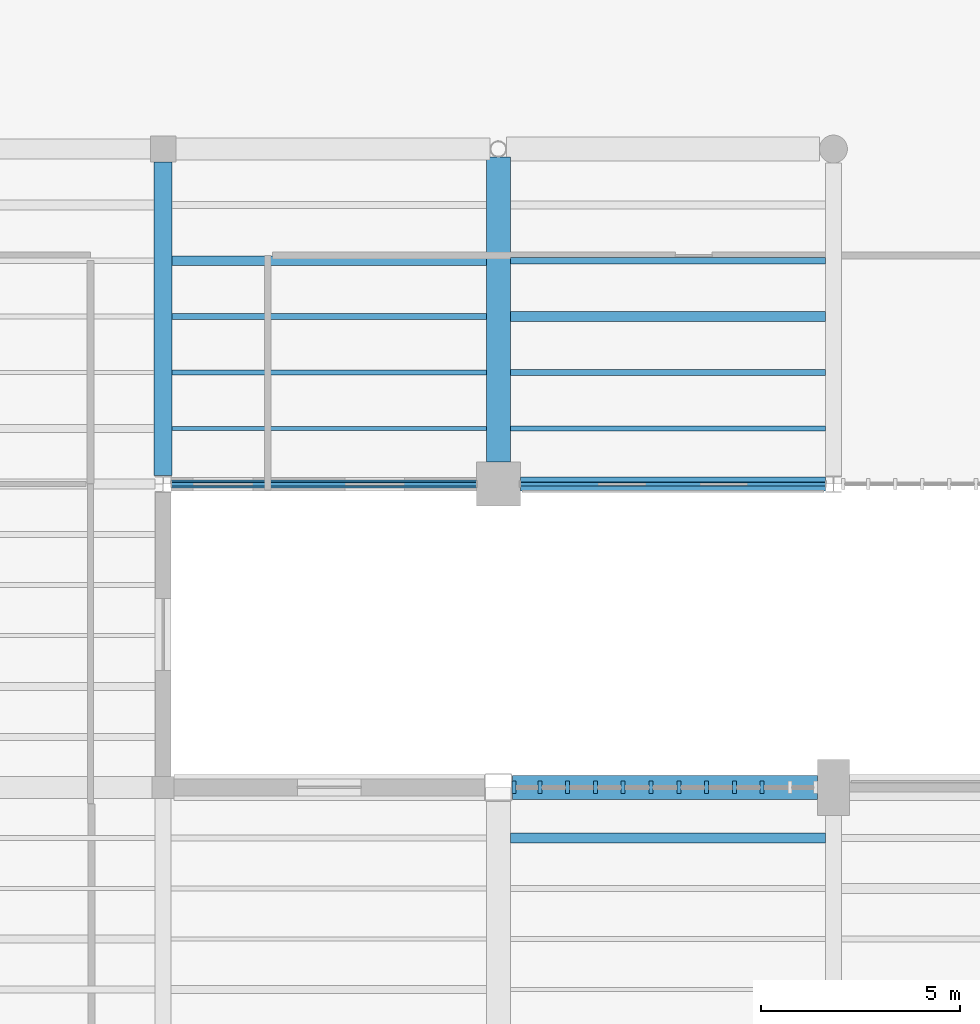
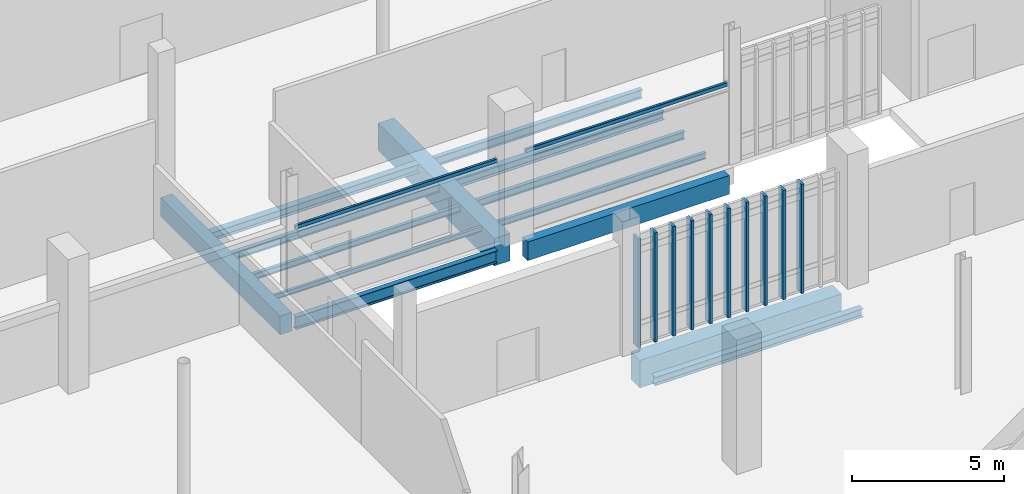
# One storey, part 15 of 111: 16 beams, 10 members, 1 element without a shape of its own.
"""IFC4 building model written with IfcOpenShell, lengths in metres."""

from ifc_helpers import new_model, si_unit, direction, frame, origin, origin_2d, place, context, subcontext, project, spatial, rectangle, hollow_rectangle, i_section, extrude, material, material_profile, profile_set, type_object, element, aggregate, save


model = new_model("IFC4")

# Units and contexts
model_context = context("Model", 3, precision=1e-05, world=origin(), true_north=direction((0.0, 1.0)))
body_context = subcontext(model_context, "Body", "Model", "MODEL_VIEW")
ifc_project = project(units=[si_unit("LENGTHUNIT", "METRE"), si_unit("AREAUNIT", "SQUARE_METRE"), si_unit("VOLUMEUNIT", "CUBIC_METRE"), si_unit("PLANEANGLEUNIT", "RADIAN"), si_unit("MASSUNIT", "GRAM", prefix="KILO")], contexts=[model_context])

# Site, building, storey
site_placement = place(None, origin())
site = spatial("IfcSite", under=ifc_project, at=site_placement, CompositionType="ELEMENT")
building_placement = place(site_placement, origin())
building = spatial("IfcBuilding", under=site, at=building_placement, Name="Larkvane Passage Sports Hall", CompositionType="ELEMENT")
storey_placement = place(building_placement, origin())
storey = spatial("IfcBuildingStorey", under=building, at=storey_placement, Name="L00", CompositionType="ELEMENT", Elevation=0.0)

# Beams
ifc_material_1 = material(Name="Concrete C40/50", Category="concrete")
ifc_material_profile_1 = material_profile(ifc_material_1, rectangle(XDim=0.449951171875, YDim=0.75, at=origin_2d()), Name="RC-BM-450x750")
ifc_profile_set_1 = profile_set([ifc_material_profile_1], Name="Concrete C40/50")
beam_type_1 = type_object("IfcBeamType", Name="BM-RC-450x750", PredefinedType="BEAM", material=ifc_profile_set_1)
beam_1_placement = place(storey_placement, frame((60.0, 23.013916015625, -0.794921875), z_axis=(0.0, 1.0, 0.0), x_axis=(-1.0, 0.0, 0.0)))
element("IfcBeam", 1, at=beam_1_placement, inside=storey, type_object=beam_type_1, Name="Girder BM5-Y-L00-9-0096", PredefinedType="BEAM", context=body_context, shape_type="SweptSolid", body=[
    extrude(rectangle(XDim=0.449951171875, YDim=0.75, at=origin_2d()), origin(), (0.0, 0.0, 1.0), 7.861083984375),
])
ifc_material_2 = material(Name="Concrete C50/60", Category="concrete")
ifc_material_profile_2 = material_profile(ifc_material_2, rectangle(XDim=0.60009765625, YDim=1.10009765625, at=origin_2d()), Name="RC-BM-600x1100")
ifc_profile_set_2 = profile_set([ifc_material_profile_2], Name="Concrete C50/60")
beam_type_2 = type_object("IfcBeamType", Name="BM-RC-600x1100", PredefinedType="BEAM", material=ifc_profile_set_2)
beam_2_placement = place(storey_placement, frame((68.75, 15.199951171875, -0.969970703125), z_axis=(1.0, 0.0, 0.0), x_axis=(0.0, 1.0, 0.0)))
element("IfcBeam", 2, at=beam_2_placement, inside=storey, type_object=beam_type_2, Name="Girder BM5-X-L00-C-0011", PredefinedType="BEAM", context=body_context, shape_type="SweptSolid", body=[
    extrude(rectangle(XDim=0.60009765625, YDim=1.10009765625, at=origin_2d()), origin(), (0.0, 0.0, 1.0), 7.64990234375),
])
beam_3_placement = place(storey_placement, frame((68.39990234375, 23.35009765625, -0.969970703125), z_axis=(0.0, 1.0, 0.0), x_axis=(-1.0, 0.0, 0.0)))
element("IfcBeam", 3, at=beam_3_placement, inside=storey, type_object=beam_type_2, Name="Girder BM5-Y-L00-10-0102", PredefinedType="BEAM", context=body_context, shape_type="SweptSolid", body=[
    extrude(rectangle(XDim=0.60009765625, YDim=1.10009765625, at=origin_2d()), origin(), (0.0, 0.0, 1.0), 7.646728515625),
])

# Curtain wall, members
ifc_material_3 = material(Name="Thermally broken aluminium and low-E glazing", Category="aluminium")
curtain_wall_type = type_object("IfcCurtainWallType", Name="CW-CLINIC", PredefinedType="USERDEFINED", material=ifc_material_3)
curtain_wall_placement = place(storey_placement, origin())
curtain_wall = element("IfcCurtainWall", 4, at=curtain_wall_placement, inside=storey, type_object=curtain_wall_type, Name="Curtain wall CW5-L00-027", ObjectType="UNITISED CURTAIN WALL", PredefinedType="USERDEFINED")
ifc_material_4 = material(Name="Anodised aluminium 6063-T6", Category="aluminium")
ifc_material_profile_3 = material_profile(ifc_material_4, rectangle(XDim=0.10009765625, YDim=0.320068359375, at=origin_2d()), Name="ALU-MUL-100x320")
ifc_profile_set_3 = profile_set([ifc_material_profile_3], Name="Anodised aluminium 6063-T6")
member_type = type_object("IfcMemberType", Name="CW-MUL-100x320", PredefinedType="MULLION", material=ifc_profile_set_3)
member_1_placement = place(storey_placement, frame((68.7958984375, 15.199951171875, 0.0), z_axis=(0.0, 0.0, 1.0), x_axis=(1.0, 0.0, 0.0)))
member_1 = element("IfcMember", 5, at=member_1_placement, type_object=member_type, Name="CW-05 mullion 1", PredefinedType="MULLION", context=body_context, shape_type="SweptSolid", body=[
    extrude(rectangle(XDim=0.10009765625, YDim=0.320068359375, at=origin_2d()), origin(), (0.0, 0.0, 1.0), 4.385986328125),
])
member_2_placement = place(storey_placement, frame((69.442138671875, 15.199951171875, 0.0), z_axis=(0.0, 0.0, 1.0), x_axis=(1.0, 0.0, 0.0)))
member_2 = element("IfcMember", 6, at=member_2_placement, type_object=member_type, Name="CW-05 mullion 2", PredefinedType="MULLION", context=body_context, shape_type="SweptSolid", body=[
    extrude(rectangle(XDim=0.10009765625, YDim=0.320068359375, at=origin_2d()), origin(), (0.0, 0.0, 1.0), 4.385986328125),
])
member_3_placement = place(storey_placement, frame((70.138427734375, 15.199951171875, 0.0), z_axis=(0.0, 0.0, 1.0), x_axis=(1.0, 0.0, 0.0)))
member_3 = element("IfcMember", 7, at=member_3_placement, type_object=member_type, Name="CW-05 mullion 3", PredefinedType="MULLION", context=body_context, shape_type="SweptSolid", body=[
    extrude(rectangle(XDim=0.10009765625, YDim=0.320068359375, at=origin_2d()), origin(), (0.0, 0.0, 1.0), 4.385986328125),
])
member_4_placement = place(storey_placement, frame((70.83447265625, 15.199951171875, 0.0), z_axis=(0.0, 0.0, 1.0), x_axis=(1.0, 0.0, 0.0)))
member_4 = element("IfcMember", 8, at=member_4_placement, type_object=member_type, Name="CW-05 mullion 4", PredefinedType="MULLION", context=body_context, shape_type="SweptSolid", body=[
    extrude(rectangle(XDim=0.10009765625, YDim=0.320068359375, at=origin_2d()), origin(), (0.0, 0.0, 1.0), 4.385986328125),
])
member_5_placement = place(storey_placement, frame((71.53076171875, 15.199951171875, 0.0), z_axis=(0.0, 0.0, 1.0), x_axis=(1.0, 0.0, 0.0)))
member_5 = element("IfcMember", 9, at=member_5_placement, type_object=member_type, Name="CW-05 mullion 5", PredefinedType="MULLION", context=body_context, shape_type="SweptSolid", body=[
    extrude(rectangle(XDim=0.10009765625, YDim=0.320068359375, at=origin_2d()), origin(), (0.0, 0.0, 1.0), 4.385986328125),
])
member_6_placement = place(storey_placement, frame((72.226806640625, 15.199951171875, 0.0), z_axis=(0.0, 0.0, 1.0), x_axis=(1.0, 0.0, 0.0)))
member_6 = element("IfcMember", 10, at=member_6_placement, type_object=member_type, Name="CW-05 mullion 6", PredefinedType="MULLION", context=body_context, shape_type="SweptSolid", body=[
    extrude(rectangle(XDim=0.10009765625, YDim=0.320068359375, at=origin_2d()), origin(), (0.0, 0.0, 1.0), 4.385986328125),
])
member_7_placement = place(storey_placement, frame((72.923095703125, 15.199951171875, 0.0), z_axis=(0.0, 0.0, 1.0), x_axis=(1.0, 0.0, 0.0)))
member_7 = element("IfcMember", 11, at=member_7_placement, type_object=member_type, Name="CW-05 mullion 7", PredefinedType="MULLION", context=body_context, shape_type="SweptSolid", body=[
    extrude(rectangle(XDim=0.10009765625, YDim=0.320068359375, at=origin_2d()), origin(), (0.0, 0.0, 1.0), 4.385986328125),
])
member_8_placement = place(storey_placement, frame((73.619384765625, 15.199951171875, 0.0), z_axis=(0.0, 0.0, 1.0), x_axis=(1.0, 0.0, 0.0)))
member_8 = element("IfcMember", 12, at=member_8_placement, type_object=member_type, Name="CW-05 mullion 8", PredefinedType="MULLION", context=body_context, shape_type="SweptSolid", body=[
    extrude(rectangle(XDim=0.10009765625, YDim=0.320068359375, at=origin_2d()), origin(), (0.0, 0.0, 1.0), 4.385986328125),
])
member_9_placement = place(storey_placement, frame((74.3154296875, 15.199951171875, 0.0), z_axis=(0.0, 0.0, 1.0), x_axis=(1.0, 0.0, 0.0)))
member_9 = element("IfcMember", 13, at=member_9_placement, type_object=member_type, Name="CW-05 mullion 9", PredefinedType="MULLION", context=body_context, shape_type="SweptSolid", body=[
    extrude(rectangle(XDim=0.10009765625, YDim=0.320068359375, at=origin_2d()), origin(), (0.0, 0.0, 1.0), 4.385986328125),
])
member_10_placement = place(storey_placement, frame((75.01171875, 15.199951171875, 0.0), z_axis=(0.0, 0.0, 1.0), x_axis=(1.0, 0.0, 0.0)))
member_10 = element("IfcMember", 14, at=member_10_placement, type_object=member_type, Name="CW-05 mullion 10", PredefinedType="MULLION", context=body_context, shape_type="SweptSolid", body=[
    extrude(rectangle(XDim=0.10009765625, YDim=0.320068359375, at=origin_2d()), origin(), (0.0, 0.0, 1.0), 4.385986328125),
])
aggregate(curtain_wall, [member_1, member_2, member_3, member_4, member_5, member_6, member_7, member_8, member_9, member_10])

# Beams
ifc_material_5 = material(Name="Steel S355JR", Category="steel")
ifc_material_profile_4 = material_profile(ifc_material_5, i_section(OverallWidth=0.10009765625, OverallDepth=0.199951171875, WebThickness=0.005615234375, FlangeThickness=0.008056640625, FilletRadius=0.008056640625, at=origin_2d()), Name="H-200x100x5.5x8")
ifc_profile_set_4 = profile_set([ifc_material_profile_4], Name="Steel S355JR")
beam_type_3 = type_object("IfcBeamType", Name="JST-STL-H200", PredefinedType="JOIST", material=ifc_profile_set_4)
beam_4_placement = place(storey_placement, frame((60.22509765625, 24.199951171875, -0.52001953125), z_axis=(1.0, 0.0, 0.0), x_axis=(0.0, 1.0, 0.0)))
element("IfcBeam", 15, at=beam_4_placement, inside=storey, type_object=beam_type_3, Name="Composite joist L00 9/D-1", PredefinedType="JOIST", context=body_context, shape_type="SweptSolid", body=[
    extrude(i_section(OverallWidth=0.10009765625, OverallDepth=0.199951171875, WebThickness=0.005615234375, FlangeThickness=0.008056640625, FilletRadius=0.008056640625, at=origin_2d()), origin(), (0.0, 0.0, 1.0), 7.875),
])
ifc_material_profile_5 = material_profile(ifc_material_5, i_section(OverallWidth=0.125, OverallDepth=0.25, WebThickness=0.006103515625, FlangeThickness=0.009033203125, FilletRadius=0.008056640625, at=origin_2d()), Name="H-250x125x6x9")
ifc_profile_set_5 = profile_set([ifc_material_profile_5], Name="Steel S355JR")
beam_type_4 = type_object("IfcBeamType", Name="JST-STL-H250", PredefinedType="JOIST", material=ifc_profile_set_5)
beam_5_placement = place(storey_placement, frame((60.22509765625, 25.60009765625, -0.544921875), z_axis=(1.0, 0.0, 0.0), x_axis=(0.0, 1.0, 0.0)))
element("IfcBeam", 16, at=beam_5_placement, inside=storey, type_object=beam_type_4, Name="Composite joist L00 9/D-2", PredefinedType="JOIST", context=body_context, shape_type="SweptSolid", body=[
    extrude(i_section(OverallWidth=0.125, OverallDepth=0.25, WebThickness=0.006103515625, FlangeThickness=0.009033203125, FilletRadius=0.008056640625, at=origin_2d()), origin(), (0.0, 0.0, 1.0), 7.875),
])
beam_6_placement = place(storey_placement, frame((68.699951171875, 24.199951171875, -0.544921875), z_axis=(1.0, 0.0, 0.0), x_axis=(0.0, 1.0, 0.0)))
element("IfcBeam", 17, at=beam_6_placement, inside=storey, type_object=beam_type_4, Name="Composite joist L00 10/D-1", PredefinedType="JOIST", context=body_context, shape_type="SweptSolid", body=[
    extrude(i_section(OverallWidth=0.125, OverallDepth=0.25, WebThickness=0.006103515625, FlangeThickness=0.009033203125, FilletRadius=0.008056640625, at=origin_2d()), origin(), (0.0, 0.0, 1.0), 7.900146484375),
])
ifc_material_profile_6 = material_profile(ifc_material_5, i_section(OverallWidth=0.14990234375, OverallDepth=0.300048828125, WebThickness=0.006591796875, FlangeThickness=0.009033203125, FilletRadius=0.012939453125, at=origin_2d()), Name="H-300x150x6.5x9")
ifc_profile_set_6 = profile_set([ifc_material_profile_6], Name="Steel S355JR")
beam_type_5 = type_object("IfcBeamType", Name="JST-STL-H300", PredefinedType="JOIST", material=ifc_profile_set_6)
beam_7_placement = place(storey_placement, frame((60.22509765625, 27.0, -0.570068359375), z_axis=(1.0, 0.0, 0.0), x_axis=(0.0, 1.0, 0.0)))
element("IfcBeam", 18, at=beam_7_placement, inside=storey, type_object=beam_type_5, Name="Composite joist L00 9/D-3", PredefinedType="JOIST", context=body_context, shape_type="SweptSolid", body=[
    extrude(i_section(OverallWidth=0.14990234375, OverallDepth=0.300048828125, WebThickness=0.006591796875, FlangeThickness=0.009033203125, FilletRadius=0.012939453125, at=origin_2d()), origin(), (0.0, 0.0, 1.0), 7.875),
])
beam_8_placement = place(storey_placement, frame((68.699951171875, 25.60009765625, -0.570068359375), z_axis=(1.0, 0.0, 0.0), x_axis=(0.0, 1.0, 0.0)))
element("IfcBeam", 19, at=beam_8_placement, inside=storey, type_object=beam_type_5, Name="Composite joist L00 10/D-2", PredefinedType="JOIST", context=body_context, shape_type="SweptSolid", body=[
    extrude(i_section(OverallWidth=0.14990234375, OverallDepth=0.300048828125, WebThickness=0.006591796875, FlangeThickness=0.009033203125, FilletRadius=0.012939453125, at=origin_2d()), origin(), (0.0, 0.0, 1.0), 7.900146484375),
])
ifc_material_profile_7 = material_profile(ifc_material_5, i_section(OverallWidth=0.25, OverallDepth=0.340087890625, WebThickness=0.009033203125, FlangeThickness=0.013916015625, FilletRadius=0.012939453125, at=origin_2d()), Name="H-340x250x9x14")
ifc_profile_set_7 = profile_set([ifc_material_profile_7], Name="Steel S355JR")
beam_type_6 = type_object("IfcBeamType", Name="JST-STL-H340", PredefinedType="JOIST", material=ifc_profile_set_7)
beam_9_placement = place(storey_placement, frame((60.22509765625, 28.39990234375, -0.590087890625), z_axis=(1.0, 0.0, 0.0), x_axis=(0.0, 1.0, 0.0)))
element("IfcBeam", 20, at=beam_9_placement, inside=storey, type_object=beam_type_6, Name="Composite joist L00 9/D-4", PredefinedType="JOIST", context=body_context, shape_type="SweptSolid", body=[
    extrude(i_section(OverallWidth=0.25, OverallDepth=0.340087890625, WebThickness=0.009033203125, FlangeThickness=0.013916015625, FilletRadius=0.012939453125, at=origin_2d()), origin(), (0.0, 0.0, 1.0), 7.875),
])
for number, where, z_axis, x_axis, name in (
    (21, (68.699951171875, 13.933349609375, -0.590087890625), (1.0, 0.0, 0.0), (0.0, 1.0, 0.0), "Composite joist L00 10/B-5"),
    (22, (68.699951171875, 27.0, -0.590087890625), (1.0, 0.0, 0.0), (0.0, 1.0, 0.0), "Composite joist L00 10/D-3"),
):
    element("IfcBeam", number, at=place(storey_placement, frame(where, z_axis=z_axis, x_axis=x_axis)), inside=storey, type_object=beam_type_6, Name=name, PredefinedType="JOIST", context=body_context, shape_type="SweptSolid", body=[
        extrude(i_section(OverallWidth=0.25, OverallDepth=0.340087890625, WebThickness=0.009033203125, FlangeThickness=0.013916015625, FilletRadius=0.012939453125, at=origin_2d()), origin(), (0.0, 0.0, 1.0), 7.900146484375),
    ])
ifc_material_profile_8 = material_profile(ifc_material_5, i_section(OverallWidth=0.175048828125, OverallDepth=0.35009765625, WebThickness=0.007080078125, FlangeThickness=0.010986328125, FilletRadius=0.012939453125, at=origin_2d()), Name="H-350x175x7x11")
ifc_profile_set_8 = profile_set([ifc_material_profile_8], Name="Steel S355JR")
beam_type_7 = type_object("IfcBeamType", Name="JST-STL-H350", PredefinedType="JOIST", material=ifc_profile_set_8)
beam_10_placement = place(storey_placement, frame((68.699951171875, 28.39990234375, -0.594970703125), z_axis=(1.0, 0.0, 0.0), x_axis=(0.0, 1.0, 0.0)))
element("IfcBeam", 23, at=beam_10_placement, inside=storey, type_object=beam_type_7, Name="Composite joist L00 10/D-4", PredefinedType="JOIST", context=body_context, shape_type="SweptSolid", body=[
    extrude(i_section(OverallWidth=0.175048828125, OverallDepth=0.35009765625, WebThickness=0.007080078125, FlangeThickness=0.010986328125, FilletRadius=0.012939453125, at=origin_2d()), origin(), (0.0, 0.0, 1.0), 7.900146484375),
])
ifc_material_profile_9 = material_profile(ifc_material_5, hollow_rectangle(XDim=0.10009765625, YDim=0.14990234375, WallThickness=0.006103515625, InnerFilletRadius=0.006103515625, OuterFilletRadius=0.011962890625, at=origin_2d()), Name="RHS-150x100x6")
ifc_profile_set_9 = profile_set([ifc_material_profile_9], Name="Steel S355JR")
beam_type_8 = type_object("IfcBeamType", Name="LN-STL-RHS150", PredefinedType="LINTEL", material=ifc_profile_set_9)
beam_11_placement = place(storey_placement, frame((60.20361328125, 22.800048828125, 3.14990234375), z_axis=(1.0, 0.0, 0.0), x_axis=(0.0, 1.0, 0.0)))
element("IfcBeam", 24, at=beam_11_placement, inside=storey, type_object=beam_type_8, Name="Opening lintel LN-3", PredefinedType="LINTEL", context=body_context, shape_type="SweptSolid", body=[
    extrude(hollow_rectangle(XDim=0.10009765625, YDim=0.14990234375, WallThickness=0.006103515625, InnerFilletRadius=0.006103515625, OuterFilletRadius=0.011962890625, at=origin_2d()), origin(), (0.0, 0.0, 1.0), 7.646484375),
])
beam_12_placement = place(storey_placement, frame((68.949951171875, 22.800048828125, 3.14990234375), z_axis=(1.0, 0.0, 0.0), x_axis=(0.0, 1.0, 0.0)))
element("IfcBeam", 25, at=beam_12_placement, inside=storey, type_object=beam_type_8, Name="Opening lintel LN-4", PredefinedType="LINTEL", context=body_context, shape_type="SweptSolid", body=[
    extrude(hollow_rectangle(XDim=0.10009765625, YDim=0.14990234375, WallThickness=0.006103515625, InnerFilletRadius=0.006103515625, OuterFilletRadius=0.011962890625, at=origin_2d()), origin(), (0.0, 0.0, 1.0), 7.6474609375),
])
ifc_material_profile_10 = material_profile(ifc_material_1, rectangle(XDim=0.35009765625, YDim=0.75, at=origin_2d()), Name="RC-SP-350x750")
ifc_profile_set_10 = profile_set([ifc_material_profile_10], Name="Concrete C40/50")
beam_type_9 = type_object("IfcBeamType", Name="SP-RC-350x750", PredefinedType="SPANDREL", material=ifc_profile_set_10)
beam_13_placement = place(storey_placement, frame((68.949951171875, 22.800048828125, -0.794921875), z_axis=(1.0, 0.0, 0.0), x_axis=(0.0, 1.0, 0.0)))
element("IfcBeam", 26, at=beam_13_placement, inside=storey, type_object=beam_type_9, Name="Girder BM5-X-L00-D-0017", PredefinedType="SPANDREL", context=body_context, shape_type="SweptSolid", body=[
    extrude(rectangle(XDim=0.35009765625, YDim=0.75, at=origin_2d()), origin(), (0.0, 0.0, 1.0), 7.6474609375),
])
ifc_material_profile_11 = material_profile(ifc_material_5, i_section(OverallWidth=0.199951171875, OverallDepth=0.5, WebThickness=0.010009765625, FlangeThickness=0.01611328125, FilletRadius=0.01806640625, at=origin_2d()), Name="H-500x200x10x16")
ifc_profile_set_11 = profile_set([ifc_material_profile_11], Name="Steel S355JR")
beam_type_10 = type_object("IfcBeamType", Name="SP-STL-H500", PredefinedType="SPANDREL", material=ifc_profile_set_11)
beam_14_placement = place(storey_placement, frame((60.20361328125, 22.800048828125, -0.669921875), z_axis=(1.0, 0.0, 0.0), x_axis=(0.0, 1.0, 0.0)))
element("IfcBeam", 27, at=beam_14_placement, inside=storey, type_object=beam_type_10, Name="Girder BM5-X-L00-D-0016", PredefinedType="SPANDREL", context=body_context, shape_type="SweptSolid", body=[
    extrude(i_section(OverallWidth=0.199951171875, OverallDepth=0.5, WebThickness=0.010009765625, FlangeThickness=0.01611328125, FilletRadius=0.01806640625, at=origin_2d()), origin(), (0.0, 0.0, 1.0), 7.646484375),
])

save(model, "model.ifc")
